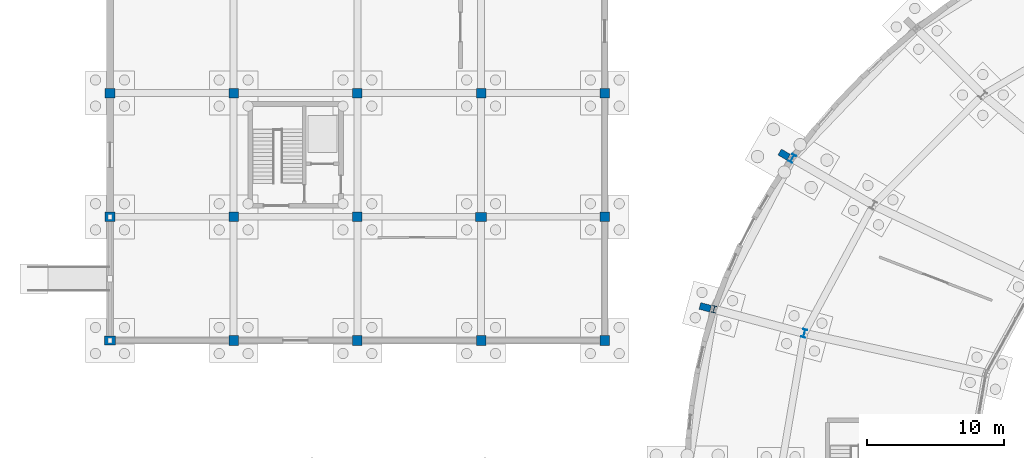
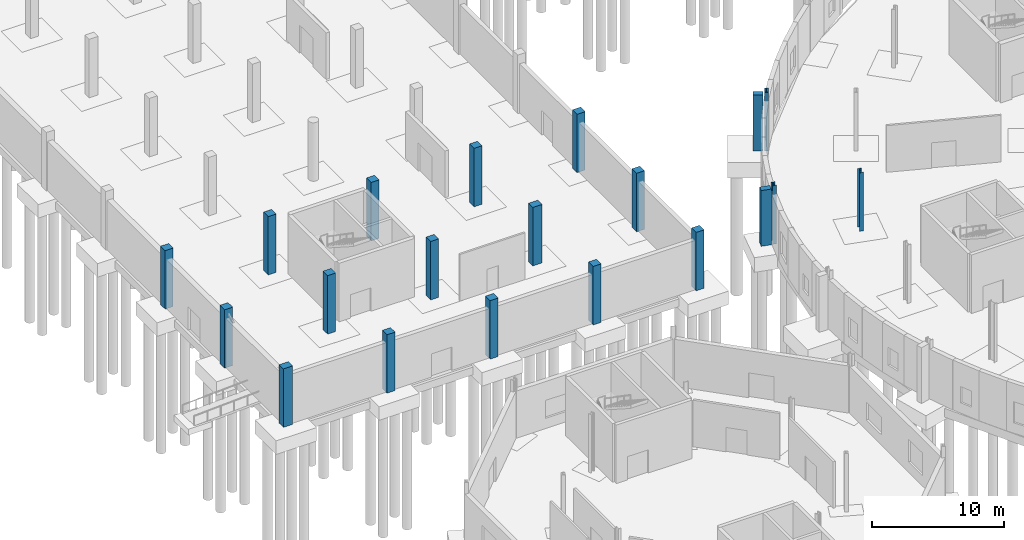
# One storey, part 25 of 118: 20 columns.
"""IFC4 building model written with IfcOpenShell, lengths in metres."""

from ifc_helpers import new_model, si_unit, direction, frame, origin, origin_2d, place, context, subcontext, project, spatial, rectangle, i_section, extrude, material, material_profile, profile_set, type_object, element, save


model = new_model("IFC4")

# Units and contexts
model_context = context("Model", 3, precision=1e-05, world=origin(), true_north=direction((0.0, 1.0)))
body_context = subcontext(model_context, "Body", "Model", "MODEL_VIEW")
ifc_project = project(units=[si_unit("LENGTHUNIT", "METRE"), si_unit("AREAUNIT", "SQUARE_METRE"), si_unit("VOLUMEUNIT", "CUBIC_METRE"), si_unit("PLANEANGLEUNIT", "RADIAN"), si_unit("MASSUNIT", "GRAM", prefix="KILO")], contexts=[model_context])

# Site, building, storey
site_placement = place(None, origin())
site = spatial("IfcSite", under=ifc_project, at=site_placement, CompositionType="ELEMENT")
building_placement = place(site_placement, origin())
building = spatial("IfcBuilding", under=site, at=building_placement, Name="Kildeholm Park Wholesale Market", CompositionType="ELEMENT")
storey_placement = place(building_placement, origin())
storey = spatial("IfcBuildingStorey", under=building, at=storey_placement, Name="L00", CompositionType="ELEMENT", Elevation=0.0)

# Columns
ifc_material_1 = material(Name="Concrete C40/50", Category="concrete")
ifc_material_profile_1 = material_profile(ifc_material_1, rectangle(XDim=0.699951171875, YDim=0.699951171875, at=origin_2d()), Name="RC 700x700")
ifc_profile_set_1 = profile_set([ifc_material_profile_1], Name="Concrete C40/50")
column_type_1 = type_object("IfcColumnType", Name="Column C-R03 RC 700x700", PredefinedType="COLUMN", material=ifc_profile_set_1)
for number, where, z_axis, x_axis, name in (
    (1, (0.0, 108.0, 0.0), (0.0, 0.0, 1.0), (1.0, 0.0, 0.0), "Column V4-000-108 L00 COL-0332"),
    (2, (0.0, 117.0, 0.0), (0.0, 0.0, 1.0), (1.0, 0.0, 0.0), "Column V4-000-117 L00 COL-0335"),
    (3, (9.0, 99.0, 0.0), (0.0, 0.0, 1.0), (1.0, 0.0, 0.0), "Column V4-009-099 L00 COL-0356"),
    (4, (9.0, 108.0, 0.0), (0.0, 0.0, 1.0), (1.0, 0.0, 0.0), "Column V4-009-108 L00 COL-0359"),
    (5, (9.0, 117.0, 0.0), (0.0, 0.0, 1.0), (1.0, 0.0, 0.0), "Column V4-009-117 L00 COL-0362"),
    (6, (18.0, 99.0, 0.0), (0.0, 0.0, 1.0), (1.0, 0.0, 0.0), "Column V4-018-099 L00 COL-0383"),
    (7, (18.0, 108.0, 0.0), (0.0, 0.0, 1.0), (1.0, 0.0, 0.0), "Column V4-018-108 L00 COL-0386"),
    (8, (18.0, 117.0, 0.0), (0.0, 0.0, 1.0), (1.0, 0.0, 0.0), "Column V4-018-117 L00 COL-0389"),
    (9, (27.0, 99.0, 0.0), (0.0, 0.0, 1.0), (1.0, 0.0, 0.0), "Column V4-027-099 L00 COL-0410"),
    (10, (27.0, 117.0, 0.0), (0.0, 0.0, 1.0), (1.0, 0.0, 0.0), "Column V4-027-117 L00 COL-0416"),
    (11, (36.0, 99.0, 0.0), (0.0, 0.0, 1.0), (1.0, 0.0, 0.0), "Column V4-036-099 L00 COL-0437"),
    (12, (36.0, 108.0, 0.0), (0.0, 0.0, 1.0), (1.0, 0.0, 0.0), "Column V4-036-108 L00 COL-0440"),
    (13, (36.0, 117.0, 0.0), (0.0, 0.0, 1.0), (1.0, 0.0, 0.0), "Column V4-036-117 L00 COL-0443"),
):
    element("IfcColumn", number, at=place(storey_placement, frame(where, z_axis=z_axis, x_axis=x_axis)), inside=storey, type_object=column_type_1, Name=name, PredefinedType="COLUMN", context=body_context, shape_type="SweptSolid", body=[
        extrude(rectangle(XDim=0.699951171875, YDim=0.699951171875, at=origin_2d()), origin(), (0.0, 0.0, 1.0), 5.39990234375),
    ])
ifc_material_profile_2 = material_profile(ifc_material_1, rectangle(XDim=0.800048828125, YDim=0.64990234375, at=origin_2d()), Name="RC 800x650")
ifc_profile_set_2 = profile_set([ifc_material_profile_2], Name="Concrete C40/50")
column_type_2 = type_object("IfcColumnType", Name="Column C-R04 RC 800x650", PredefinedType="COLUMN", material=ifc_profile_set_2)
for number, where, z_axis, x_axis, name in (
    (14, (0.0, 99.0, 0.0), (0.0, 0.0, 1.0), (1.0, 0.0, 0.0), "Column V4-000-099 L00 COL-0329"),
    (15, (27.0, 108.0, 0.0), (0.0, 0.0, 1.0), (1.0, 0.0, 0.0), "Column V4-027-108 L00 COL-0413"),
):
    element("IfcColumn", number, at=place(storey_placement, frame(where, z_axis=z_axis, x_axis=x_axis)), inside=storey, type_object=column_type_2, Name=name, PredefinedType="COLUMN", context=body_context, shape_type="SweptSolid", body=[
        extrude(rectangle(XDim=0.800048828125, YDim=0.64990234375, at=origin_2d()), origin(), (0.0, 0.0, 1.0), 5.39990234375),
    ])
ifc_material_2 = material(Name="Steel S355", Category="steel")
ifc_material_profile_3 = material_profile(ifc_material_2, i_section(OverallWidth=0.300048828125, OverallDepth=0.5, WebThickness=0.014404296875, FlangeThickness=0.028076171875, FilletRadius=0.027099609375, at=origin_2d()), Name="HEB 500")
ifc_profile_set_3 = profile_set([ifc_material_profile_3], Name="Steel S355")
column_type_3 = type_object("IfcColumnType", Name="Column C-S07 HEB 500", PredefinedType="COLUMN", material=ifc_profile_set_3)
column_1_placement = place(storey_placement, frame((43.94189453125, 101.27587890625, 0.0), z_axis=(0.0, 0.0, 1.0), x_axis=(-0.965925826289, 0.258819045103, 0.0)))
element("IfcColumn", 16, at=column_1_placement, inside=storey, type_object=column_type_3, Name="Column V1-OT-11 L00 COL-0106", PredefinedType="COLUMN", context=body_context, shape_type="SweptSolid", body=[
    extrude(i_section(OverallWidth=0.300048828125, OverallDepth=0.5, WebThickness=0.014404296875, FlangeThickness=0.028076171875, FilletRadius=0.027099609375, at=origin_2d()), origin(), (0.0, 0.0, 1.0), 5.39990234375),
])
ifc_material_profile_4 = material_profile(ifc_material_2, i_section(OverallWidth=0.300048828125, OverallDepth=0.60009765625, WebThickness=0.015380859375, FlangeThickness=0.030029296875, FilletRadius=0.027099609375, at=origin_2d()), Name="HEB 600")
ifc_profile_set_4 = profile_set([ifc_material_profile_4], Name="Steel S355")
column_type_4 = type_object("IfcColumnType", Name="Column C-S08 HEB 600", PredefinedType="COLUMN", material=ifc_profile_set_4)
for number, where, z_axis, x_axis, name in (
    (17, (49.636962890625, 112.25, 0.0), (0.0, 0.0, 1.0), (-0.866025403784, 0.5, 0.0), "Column V1-OT-10 L00 COL-0097"),
    (18, (50.510986328125, 99.51611328125, 0.0), (0.0, 0.0, 1.0), (-0.965925826289, 0.258819045103, 0.0), "Column V1-MD-11 L00 COL-0103"),
):
    element("IfcColumn", number, at=place(storey_placement, frame(where, z_axis=z_axis, x_axis=x_axis)), inside=storey, type_object=column_type_4, Name=name, PredefinedType="COLUMN", context=body_context, shape_type="SweptSolid", body=[
        extrude(i_section(OverallWidth=0.300048828125, OverallDepth=0.60009765625, WebThickness=0.015380859375, FlangeThickness=0.030029296875, FilletRadius=0.027099609375, at=origin_2d()), origin(), (0.0, 0.0, 1.0), 5.39990234375),
    ])
ifc_material_3 = material(Name="Precast concrete C40/50", Category="concrete")
ifc_material_profile_5 = material_profile(ifc_material_3, rectangle(XDim=0.800048828125, YDim=0.5, at=origin_2d()), Name="PIL 800x500")
ifc_profile_set_5 = profile_set([ifc_material_profile_5], Name="Precast concrete C40/50")
column_type_5 = type_object("IfcColumnType", Name="Column PL-M01 PIL 800x500", PredefinedType="PILASTER", material=ifc_profile_set_5)
column_2_placement = place(storey_placement, frame((43.305908203125, 101.412109375, 0.0), z_axis=(0.0, 0.0, 1.0), x_axis=(-0.965925826289, 0.258819045103, 0.0)))
element("IfcColumn", 19, at=column_2_placement, inside=storey, type_object=column_type_5, Name="Market ring pilaster 12 COL-0108", PredefinedType="PILASTER", context=body_context, shape_type="SweptSolid", body=[
    extrude(rectangle(XDim=0.800048828125, YDim=0.5, at=origin_2d()), origin(), (0.0, 0.0, 1.0), 5.14990234375),
])
ifc_material_profile_6 = material_profile(ifc_material_3, rectangle(XDim=0.75, YDim=0.5, at=origin_2d()), Name="PIL 750x500")
ifc_profile_set_6 = profile_set([ifc_material_profile_6], Name="Precast concrete C40/50")
column_type_6 = type_object("IfcColumnType", Name="Column PL-M02 PIL 750x500", PredefinedType="PILASTER", material=ifc_profile_set_6)
column_3_placement = place(storey_placement, frame((49.047119140625, 112.52197265625, 0.0), z_axis=(0.0, 0.0, 1.0), x_axis=(-0.866025403784, 0.5, 0.0)))
element("IfcColumn", 20, at=column_3_placement, inside=storey, type_object=column_type_6, Name="Market ring pilaster 11 COL-0099", PredefinedType="PILASTER", context=body_context, shape_type="SweptSolid", body=[
    extrude(rectangle(XDim=0.75, YDim=0.5, at=origin_2d()), origin(), (0.0, 0.0, 1.0), 5.14990234375),
])

save(model, "model.ifc")
